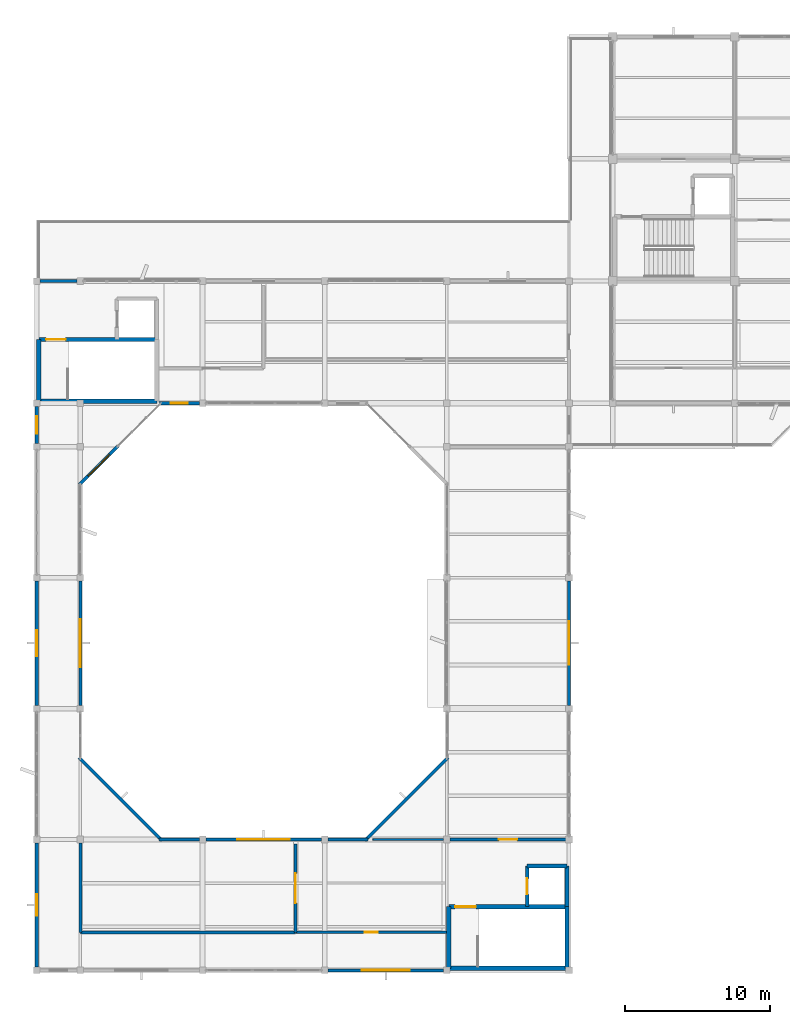
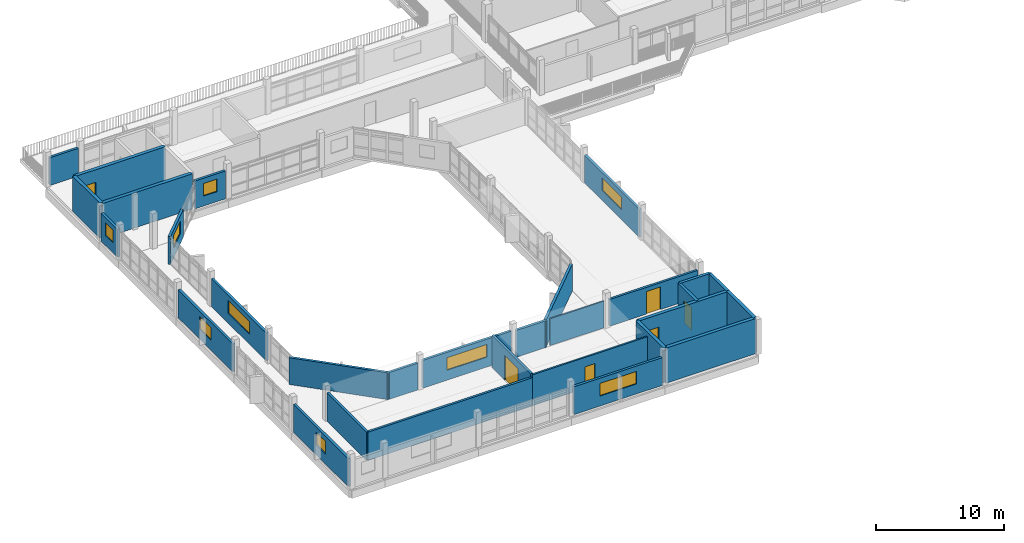
# One storey, part 20 of 33: 30 walls, 9 windows, 6 doors, 15 openings.
"""IFC4 building model written with IfcOpenShell, lengths in metres."""

from ifc_helpers import new_model, si_unit, direction, frame, frame_2d, origin, place, context, subcontext, project, spatial, rectangle, extrude, material, layer, layer_set, type_object, element, fill, save


model = new_model("IFC4")

# Units and contexts
model_context = context("Model", 3, precision=1e-05, world=origin(), true_north=direction((0.0, 1.0)))
body_context = subcontext(model_context, "Body", "Model", "MODEL_VIEW")
ifc_project = project(units=[si_unit("LENGTHUNIT", "METRE"), si_unit("AREAUNIT", "SQUARE_METRE"), si_unit("VOLUMEUNIT", "CUBIC_METRE"), si_unit("PLANEANGLEUNIT", "RADIAN"), si_unit("MASSUNIT", "GRAM", prefix="KILO")], contexts=[model_context])

# Site, building, storey
site_placement = place(None, origin())
site = spatial("IfcSite", under=ifc_project, at=site_placement, CompositionType="ELEMENT")
building_placement = place(site_placement, origin())
building = spatial("IfcBuilding", under=site, at=building_placement, Name="Vanh Quang Courtyard School", CompositionType="ELEMENT")
storey_placement = place(building_placement, frame((0.0, 0.0, 18.60009765625)))
storey = spatial("IfcBuildingStorey", under=building, at=storey_placement, Name="L05", CompositionType="ELEMENT", Elevation=18.60009765625)

# Wall, opening, door
ifc_material_1 = material(Name="Concrete C30/37", Category="concrete")
ifc_layer_1 = layer(ifc_material_1, 0.199951171875)
ifc_layer_set_1 = layer_set([ifc_layer_1], Name="Concrete C30/37")
wall_type_1 = type_object("IfcWallType", Name="W-COMP-200", PredefinedType="PARTITIONING", material=ifc_layer_set_1)
wall_1_placement = place(storey_placement, frame((55.60009765625, 41.080078125, 0.0), z_axis=(0.0, 0.0, 1.0), x_axis=(0.0, -1.0, 0.0)))
wall_1 = element("IfcWall", 1, at=wall_1_placement, inside=storey, type_object=wall_type_1, Name="Wall W-COMP1 (L05)", PredefinedType="PARTITIONING", context=body_context, shape_type="SweptSolid", body=[
    extrude(rectangle(XDim=6.06005859375, YDim=0.199951171875, at=frame_2d((3.030029296875, 0.0))), origin(), (0.0, 0.0, 1.0), 3.0498046875),
])
opening_1_placement = place(wall_1_placement, frame((2.0048828125, 0.0, 0.0)))
opening_1 = element("IfcOpeningElement", 2, at=opening_1_placement, cuts=wall_1, Name="Opening L05-D179", PredefinedType="OPENING", context=body_context, shape_type="SweptSolid", body=[
    extrude(rectangle(XDim=2.050048828125, YDim=2.35009765625, at=frame_2d((1.02490234375, 1.175048828125))), frame((0.0, 0.10986328125, 0.0), z_axis=(0.0, -1.0, 0.0), x_axis=(1.0, 0.0, 0.0)), (0.0, 0.0, 1.0), 0.219970703125),
])
ifc_material_2 = material(Name="Painted galvanised steel fire door", Category="steel")
door_type_1 = type_object("IfcDoorType", Name="IDR-HAL-2050x2350", OperationType="NOTDEFINED", PredefinedType="DOOR", material=ifc_material_2)
door_1_placement = place(opening_1_placement, origin())
door_1 = element("IfcDoor", 3, at=door_1_placement, inside=storey, type_object=door_type_1, Name="Door L05-D179 (L05)", OperationType="DOUBLE_DOOR_SINGLE_SWING", OverallHeight=2.35009765625, OverallWidth=2.050048828125, PredefinedType="DOOR", context=body_context, shape_type="SweptSolid", body=[
    extrude(rectangle(XDim=2.050048828125, YDim=2.35009765625, at=frame_2d((1.02490234375, 1.175048828125))), frame((0.0, 0.02490234375, 0.0), z_axis=(0.0, -1.0, 0.0), x_axis=(1.0, 0.0, 0.0)), (0.0, 0.0, 1.0), 0.050048828125),
])
fill(opening_1, door_1)

# Walls
wall_2_placement = place(storey_placement, frame((55.60009765625, 35.02001953125, 0.0), z_axis=(0.0, 0.0, 1.0), x_axis=(-1.0, 0.0, 0.0)))
element("IfcWall", 4, at=wall_2_placement, inside=storey, type_object=wall_type_1, Name="Wall W-COMP1 (L05)", PredefinedType="PARTITIONING", context=body_context, shape_type="SweptSolid", body=[
    extrude(rectangle(XDim=14.800048828125, YDim=0.199951171875, at=frame_2d((7.39990234375, 0.0))), origin(), (0.0, 0.0, 1.0), 2.699951171875),
])
wall_3_placement = place(storey_placement, frame((40.800048828125, 35.02001953125, 0.0), z_axis=(0.0, 0.0, 1.0), x_axis=(0.0, 1.0, 0.0)))
element("IfcWall", 5, at=wall_3_placement, inside=storey, type_object=wall_type_1, Name="Wall W-COMP1 (L05)", PredefinedType="PARTITIONING", context=body_context, shape_type="SweptSolid", body=[
    extrude(rectangle(XDim=6.156982421875, YDim=0.199951171875, at=frame_2d((3.07861328125, 0.0))), origin(), (0.0, 0.0, 1.0), 2.699951171875),
])

# Wall, opening, door
wall_4_placement = place(storey_placement, frame((74.177001953125, 41.39990234375, 0.0), z_axis=(0.0, 0.0, 1.0), x_axis=(-1.0, 0.0, 0.0)))
wall_4 = element("IfcWall", 6, at=wall_4_placement, inside=storey, type_object=wall_type_1, Name="Wall W-COMP1 (L05)", PredefinedType="PARTITIONING", context=body_context, shape_type="SweptSolid", body=[
    extrude(rectangle(XDim=7.9541015625, YDim=0.199951171875, at=frame_2d((3.97705078125, 0.0))), origin(), (0.0, 0.0, 1.0), 2.5498046875),
])
opening_2_placement = place(wall_4_placement, frame((3.35205078125, 0.0, 0.0)))
opening_2 = element("IfcOpeningElement", 7, at=opening_2_placement, cuts=wall_4, Name="Opening L05-D182", PredefinedType="OPENING", context=body_context, shape_type="SweptSolid", body=[
    extrude(rectangle(XDim=1.25, YDim=2.14990234375, at=frame_2d((0.625, 1.074951171875))), frame((0.0, 0.10986328125, 0.0), z_axis=(0.0, -1.0, 0.0), x_axis=(1.0, 0.0, 0.0)), (0.0, 0.0, 1.0), 0.219970703125),
])
door_type_2 = type_object("IfcDoorType", Name="IDR-LAB-1250x2150", OperationType="NOTDEFINED", PredefinedType="DOOR", material=ifc_material_2)
door_2_placement = place(opening_2_placement, origin())
door_2 = element("IfcDoor", 8, at=door_2_placement, inside=storey, type_object=door_type_2, Name="Door L05-D182 (L05)", OperationType="SINGLE_SWING_LEFT", OverallHeight=2.14990234375, OverallWidth=1.25, PredefinedType="DOOR", context=body_context, shape_type="SweptSolid", body=[
    extrude(rectangle(XDim=1.25, YDim=2.14990234375, at=frame_2d((0.625, 1.074951171875))), frame((0.0, 0.02490234375, 0.0), z_axis=(0.0, -1.0, 0.0), x_axis=(1.0, 0.0, 0.0)), (0.0, 0.0, 1.0), 0.050048828125),
])
fill(opening_2, door_2)

# Wall
ifc_material_3 = material(Name="Concrete C35/45", Category="concrete")
ifc_layer_2 = layer(ifc_material_3, 0.300048828125)
ifc_layer_set_2 = layer_set([ifc_layer_2], Name="Concrete C35/45")
wall_type_2 = type_object("IfcWallType", Name="W-CORE-300", PredefinedType="SHEAR", material=ifc_layer_set_2)
wall_5_placement = place(storey_placement, frame((37.93994140625, 71.5400390625, 0.0), z_axis=(0.0, 0.0, 1.0), x_axis=(1.0, 0.0, 0.0)))
element("IfcWall", 9, at=wall_5_placement, inside=storey, type_object=wall_type_2, Name="Wall W-CORE1 (L05)", PredefinedType="SHEAR", context=body_context, shape_type="SweptSolid", body=[
    extrude(rectangle(XDim=8.1201171875, YDim=0.300048828125, at=frame_2d((4.06005859375, 0.0))), origin(), (0.0, 0.0, 1.0), 3.349853515625),
])

# Wall, opening, door
wall_6_placement = place(storey_placement, frame((46.06005859375, 75.780029296875, 0.0), z_axis=(0.0, 0.0, 1.0), x_axis=(-1.0, 0.0, 0.0)))
wall_6 = element("IfcWall", 10, at=wall_6_placement, inside=storey, type_object=wall_type_2, Name="Wall W-CORE1 (L05)", PredefinedType="SHEAR", context=body_context, shape_type="SweptSolid", body=[
    extrude(rectangle(XDim=8.1201171875, YDim=0.300048828125, at=frame_2d((4.06005859375, 0.0))), origin(), (0.0, 0.0, 1.0), 3.349853515625),
])
opening_3_placement = place(wall_6_placement, frame((6.27001953125, 0.0, 0.0)))
opening_3 = element("IfcOpeningElement", 11, at=opening_3_placement, cuts=wall_6, Name="Opening L05-DS3", PredefinedType="OPENING", context=body_context, shape_type="SweptSolid", body=[
    extrude(rectangle(XDim=1.35009765625, YDim=2.14990234375, at=frame_2d((0.675048828125, 1.074951171875))), frame((0.0, 0.16015625, 0.0), z_axis=(0.0, -1.0, 0.0), x_axis=(1.0, 0.0, 0.0)), (0.0, 0.0, 1.0), 0.320068359375),
])
door_type_3 = type_object("IfcDoorType", Name="IDR-ST-1350x2150", OperationType="NOTDEFINED", PredefinedType="DOOR", material=ifc_material_2)
door_3_placement = place(opening_3_placement, frame((1.35009765625, 0.0, 0.0), z_axis=(0.0, 0.0, 1.0), x_axis=(-1.0, 0.0, 0.0)))
door_3 = element("IfcDoor", 12, at=door_3_placement, inside=storey, type_object=door_type_3, Name="Door L05-DS3 (L05)", OperationType="SINGLE_SWING_LEFT", OverallHeight=2.14990234375, OverallWidth=1.35009765625, PredefinedType="DOOR", context=body_context, shape_type="SweptSolid", body=[
    extrude(rectangle(XDim=1.35009765625, YDim=2.14990234375, at=frame_2d((0.675048828125, 1.074951171875))), frame((0.0, 0.02490234375, 0.0), z_axis=(0.0, -1.0, 0.0), x_axis=(1.0, 0.0, 0.0)), (0.0, 0.0, 1.0), 0.050048828125),
])
fill(opening_3, door_3)

# Walls
wall_7_placement = place(storey_placement, frame((37.93994140625, 75.780029296875, 0.0), z_axis=(0.0, 0.0, 1.0), x_axis=(0.0, -1.0, 0.0)))
element("IfcWall", 13, at=wall_7_placement, inside=storey, type_object=wall_type_2, Name="Wall W-CORE1 (L05)", PredefinedType="SHEAR", context=body_context, shape_type="SweptSolid", body=[
    extrude(rectangle(XDim=4.239990234375, YDim=0.300048828125, at=frame_2d((2.1201171875, 0.0))), origin(), (0.0, 0.0, 1.0), 3.349853515625),
])
wall_8_placement = place(storey_placement, frame((66.139892578125, 32.5400390625, 0.0), z_axis=(0.0, 0.0, 1.0), x_axis=(1.0, 0.0, 0.0)))
element("IfcWall", 14, at=wall_8_placement, inside=storey, type_object=wall_type_2, Name="Wall W-CORE1 (L05)", PredefinedType="SHEAR", context=body_context, shape_type="SweptSolid", body=[
    extrude(rectangle(XDim=8.1201171875, YDim=0.300048828125, at=frame_2d((4.06005859375, 0.0))), origin(), (0.0, 0.0, 1.0), 3.349853515625),
])
wall_9_placement = place(storey_placement, frame((74.260009765625, 32.5400390625, 0.0), z_axis=(0.0, 0.0, 1.0), x_axis=(0.0, 1.0, 0.0)))
element("IfcWall", 15, at=wall_9_placement, inside=storey, type_object=wall_type_2, Name="Wall W-CORE1 (L05)", PredefinedType="SHEAR", context=body_context, shape_type="SweptSolid", body=[
    extrude(rectangle(XDim=4.239990234375, YDim=0.300048828125, at=frame_2d((2.1201171875, 0.0))), origin(), (0.0, 0.0, 1.0), 3.349853515625),
])

# Wall, opening, door
wall_10_placement = place(storey_placement, frame((74.260009765625, 36.780029296875, 0.0), z_axis=(0.0, 0.0, 1.0), x_axis=(-1.0, 0.0, 0.0)))
wall_10 = element("IfcWall", 16, at=wall_10_placement, inside=storey, type_object=wall_type_2, Name="Wall W-CORE1 (L05)", PredefinedType="SHEAR", context=body_context, shape_type="SweptSolid", body=[
    extrude(rectangle(XDim=8.1201171875, YDim=0.300048828125, at=frame_2d((4.06005859375, 0.0))), origin(), (0.0, 0.0, 1.0), 3.349853515625),
])
opening_4_placement = place(wall_10_placement, frame((6.27001953125, 0.0, 0.0)))
opening_4 = element("IfcOpeningElement", 17, at=opening_4_placement, cuts=wall_10, Name="Opening L05-DS4", PredefinedType="OPENING", context=body_context, shape_type="SweptSolid", body=[
    extrude(rectangle(XDim=1.419921875, YDim=2.14990234375, at=frame_2d((0.7099609375, 1.074951171875))), frame((0.0, 0.16015625, 0.0), z_axis=(0.0, -1.0, 0.0), x_axis=(1.0, 0.0, 0.0)), (0.0, 0.0, 1.0), 0.320068359375),
])
door_type_4 = type_object("IfcDoorType", Name="IDR-ST-1420x2150", OperationType="NOTDEFINED", PredefinedType="DOOR", material=ifc_material_2)
door_4_placement = place(opening_4_placement, frame((1.419921875, 0.0, 0.0), z_axis=(0.0, 0.0, 1.0), x_axis=(-1.0, 0.0, 0.0)))
door_4 = element("IfcDoor", 18, at=door_4_placement, inside=storey, type_object=door_type_4, Name="Door L05-DS4 (L05)", OperationType="SINGLE_SWING_LEFT", OverallHeight=2.14990234375, OverallWidth=1.419921875, PredefinedType="DOOR", context=body_context, shape_type="SweptSolid", body=[
    extrude(rectangle(XDim=1.419921875, YDim=2.14990234375, at=frame_2d((0.7099609375, 1.074951171875))), frame((0.0, 0.02490234375, 0.0), z_axis=(0.0, -1.0, 0.0), x_axis=(1.0, 0.0, 0.0)), (0.0, 0.0, 1.0), 0.050048828125),
])
fill(opening_4, door_4)

# Wall
wall_11_placement = place(storey_placement, frame((66.139892578125, 36.780029296875, 0.0), z_axis=(0.0, 0.0, 1.0), x_axis=(0.0, -1.0, 0.0)))
element("IfcWall", 19, at=wall_11_placement, inside=storey, type_object=wall_type_2, Name="Wall W-CORE1 (L05)", PredefinedType="SHEAR", context=body_context, shape_type="SweptSolid", body=[
    extrude(rectangle(XDim=4.239990234375, YDim=0.300048828125, at=frame_2d((2.1201171875, 0.0))), origin(), (0.0, 0.0, 1.0), 3.349853515625),
])

# Wall, opening, window
ifc_layer_3 = layer(ifc_material_1, 0.219970703125)
ifc_layer_set_3 = layer_set([ifc_layer_3], Name="Concrete C30/37")
wall_type_3 = type_object("IfcWallType", Name="W-EXT-220", PredefinedType="SOLIDWALL", material=ifc_layer_set_3)
wall_12_placement = place(storey_placement, frame((65.777099609375, 32.39990234375, 0.0), z_axis=(0.0, 0.0, 1.0), x_axis=(-1.0, 0.0, 0.0)))
wall_12 = element("IfcWall", 20, at=wall_12_placement, inside=storey, type_object=wall_type_3, Name="Wall WE-04 (L05)", PredefinedType="SOLIDWALL", context=body_context, shape_type="SweptSolid", body=[
    extrude(rectangle(XDim=7.9541015625, YDim=0.219970703125, at=frame_2d((3.97705078125, 0.0))), origin(), (0.0, 0.0, 1.0), 2.64990234375),
])
opening_5_placement = place(wall_12_placement, frame((2.326904296875, 0.0, 0.949951171875)))
opening_5 = element("IfcOpeningElement", 21, at=opening_5_placement, cuts=wall_12, Name="Opening WN-08", PredefinedType="OPENING", context=body_context, shape_type="SweptSolid", body=[
    extrude(rectangle(XDim=3.300048828125, YDim=1.199951171875, at=frame_2d((1.64990234375, 0.60009765625))), frame((0.0, 0.1201171875, 0.0), z_axis=(0.0, -1.0, 0.0), x_axis=(1.0, 0.0, 0.0)), (0.0, 0.0, 1.0), 0.239990234375),
])
ifc_material_4 = material(Name="Anodised aluminium and low-E double glazing", Category="aluminium")
window_type_1 = type_object("IfcWindowType", Name="WIN-TYP-08", PartitioningType="SINGLE_PANEL", PredefinedType="WINDOW", material=ifc_material_4)
window_1_placement = place(opening_5_placement, origin())
window_1 = element("IfcWindow", 22, at=window_1_placement, inside=storey, type_object=window_type_1, Name="Window WN-08 (L05)", OverallHeight=1.199951171875, OverallWidth=3.300048828125, PartitioningType="SINGLE_PANEL", PredefinedType="WINDOW", context=body_context, shape_type="SweptSolid", body=[
    extrude(rectangle(XDim=3.300048828125, YDim=1.199951171875, at=frame_2d((1.64990234375, 0.60009765625))), frame((0.0, 0.030029296875, 0.0), z_axis=(0.0, -1.0, 0.0), x_axis=(1.0, 0.0, 0.0)), (0.0, 0.0, 1.0), 0.06005859375),
])
fill(opening_5, window_1)

wall_13_placement = place(storey_placement, frame((37.800048828125, 32.623046875, 0.0), z_axis=(0.0, 0.0, 1.0), x_axis=(0.0, 1.0, 0.0)))
wall_13 = element("IfcWall", 23, at=wall_13_placement, inside=storey, type_object=wall_type_3, Name="Wall WE-04 (L05)", PredefinedType="SOLIDWALL", context=body_context, shape_type="SweptSolid", body=[
    extrude(rectangle(XDim=8.553955078125, YDim=0.219970703125, at=frame_2d((4.27685546875, 0.0))), origin(), (0.0, 0.0, 1.0), 2.64990234375),
])
opening_6_placement = place(wall_13_placement, frame((3.527099609375, 0.0, 0.949951171875)))
opening_6 = element("IfcOpeningElement", 24, at=opening_6_placement, cuts=wall_13, Name="Opening WN-02", PredefinedType="OPENING", context=body_context, shape_type="SweptSolid", body=[
    extrude(rectangle(XDim=1.5, YDim=1.199951171875, at=frame_2d((0.75, 0.60009765625))), frame((0.0, 0.1201171875, 0.0), z_axis=(0.0, -1.0, 0.0), x_axis=(1.0, 0.0, 0.0)), (0.0, 0.0, 1.0), 0.239990234375),
])
window_type_2 = type_object("IfcWindowType", Name="WIN-TYP-02", PartitioningType="SINGLE_PANEL", PredefinedType="WINDOW", material=ifc_material_4)
window_2_placement = place(opening_6_placement, origin())
window_2 = element("IfcWindow", 25, at=window_2_placement, inside=storey, type_object=window_type_2, Name="Window WN-02 (L05)", OverallHeight=1.199951171875, OverallWidth=1.5, PartitioningType="SINGLE_PANEL", PredefinedType="WINDOW", context=body_context, shape_type="SweptSolid", body=[
    extrude(rectangle(XDim=1.5, YDim=1.199951171875, at=frame_2d((0.75, 0.60009765625))), frame((0.0, 0.030029296875, 0.0), z_axis=(0.0, -1.0, 0.0), x_axis=(1.0, 0.0, 0.0)), (0.0, 0.0, 1.0), 0.06005859375),
])
fill(opening_6, window_2)

wall_14_placement = place(storey_placement, frame((37.800048828125, 50.623046875, 0.0), z_axis=(0.0, 0.0, 1.0), x_axis=(0.0, 1.0, 0.0)))
wall_14 = element("IfcWall", 26, at=wall_14_placement, inside=storey, type_object=wall_type_3, Name="Wall WE-04 (L05)", PredefinedType="SOLIDWALL", context=body_context, shape_type="SweptSolid", body=[
    extrude(rectangle(XDim=8.553955078125, YDim=0.219970703125, at=frame_2d((4.27685546875, 0.0))), origin(), (0.0, 0.0, 1.0), 2.64990234375),
])
opening_7_placement = place(wall_14_placement, frame((3.376953125, 0.0, 0.949951171875)))
opening_7 = element("IfcOpeningElement", 27, at=opening_7_placement, cuts=wall_14, Name="Opening WN-03", PredefinedType="OPENING", context=body_context, shape_type="SweptSolid", body=[
    extrude(rectangle(XDim=1.800048828125, YDim=1.199951171875, at=frame_2d((0.89990234375, 0.60009765625))), frame((0.0, 0.1201171875, 0.0), z_axis=(0.0, -1.0, 0.0), x_axis=(1.0, 0.0, 0.0)), (0.0, 0.0, 1.0), 0.239990234375),
])
window_type_3 = type_object("IfcWindowType", Name="WIN-TYP-03", PartitioningType="SINGLE_PANEL", PredefinedType="WINDOW", material=ifc_material_4)
window_3_placement = place(opening_7_placement, origin())
window_3 = element("IfcWindow", 28, at=window_3_placement, inside=storey, type_object=window_type_3, Name="Window WN-03 (L05)", OverallHeight=1.199951171875, OverallWidth=1.800048828125, PartitioningType="SINGLE_PANEL", PredefinedType="WINDOW", context=body_context, shape_type="SweptSolid", body=[
    extrude(rectangle(XDim=1.800048828125, YDim=1.199951171875, at=frame_2d((0.89990234375, 0.60009765625))), frame((0.0, 0.030029296875, 0.0), z_axis=(0.0, -1.0, 0.0), x_axis=(1.0, 0.0, 0.0)), (0.0, 0.0, 1.0), 0.06005859375),
])
fill(opening_7, window_3)

wall_15_placement = place(storey_placement, frame((37.800048828125, 68.623046875, 0.0), z_axis=(0.0, 0.0, 1.0), x_axis=(0.0, 1.0, 0.0)))
wall_15 = element("IfcWall", 29, at=wall_15_placement, inside=storey, type_object=wall_type_3, Name="Wall WE-04 (L05)", PredefinedType="SOLIDWALL", context=body_context, shape_type="SweptSolid", body=[
    extrude(rectangle(XDim=2.553955078125, YDim=0.219970703125, at=frame_2d((1.27685546875, 0.0))), origin(), (0.0, 0.0, 1.0), 2.64990234375),
])
opening_8_placement = place(wall_15_placement, frame((0.677001953125, 0.0, 0.949951171875)))
opening_8 = element("IfcOpeningElement", 30, at=opening_8_placement, cuts=wall_15, Name="Opening WN-01", PredefinedType="OPENING", context=body_context, shape_type="SweptSolid", body=[
    extrude(rectangle(XDim=1.199951171875, YDim=1.199951171875, at=frame_2d((0.60009765625, 0.60009765625))), frame((0.0, 0.1201171875, 0.0), z_axis=(0.0, -1.0, 0.0), x_axis=(1.0, 0.0, 0.0)), (0.0, 0.0, 1.0), 0.239990234375),
])
window_type_4 = type_object("IfcWindowType", Name="WIN-TYP-01", PartitioningType="SINGLE_PANEL", PredefinedType="WINDOW", material=ifc_material_4)
window_4_placement = place(opening_8_placement, origin())
window_4 = element("IfcWindow", 31, at=window_4_placement, inside=storey, type_object=window_type_4, Name="Window WN-01 (L05)", OverallHeight=1.199951171875, OverallWidth=1.199951171875, PartitioningType="SINGLE_PANEL", PredefinedType="WINDOW", context=body_context, shape_type="SweptSolid", body=[
    extrude(rectangle(XDim=1.199951171875, YDim=1.199951171875, at=frame_2d((0.60009765625, 0.60009765625))), frame((0.0, 0.030029296875, 0.0), z_axis=(0.0, -1.0, 0.0), x_axis=(1.0, 0.0, 0.0)), (0.0, 0.0, 1.0), 0.06005859375),
])
fill(opening_8, window_4)

# Wall
wall_16_placement = place(storey_placement, frame((38.02294921875, 79.800048828125, 0.0), z_axis=(0.0, 0.0, 1.0), x_axis=(1.0, 0.0, 0.0)))
element("IfcWall", 32, at=wall_16_placement, inside=storey, type_object=wall_type_3, Name="Wall WE-04 (L05)", PredefinedType="SOLIDWALL", context=body_context, shape_type="SweptSolid", body=[
    extrude(rectangle(XDim=2.553955078125, YDim=0.219970703125, at=frame_2d((1.27685546875, 0.0))), origin(), (0.0, 0.0, 1.0), 2.64990234375),
])

# Wall, opening, window
wall_17_placement = place(storey_placement, frame((74.39990234375, 59.177001953125, 0.0), z_axis=(0.0, 0.0, 1.0), x_axis=(0.0, -1.0, 0.0)))
wall_17 = element("IfcWall", 33, at=wall_17_placement, inside=storey, type_object=wall_type_3, Name="Wall WE-04 (L05)", PredefinedType="SOLIDWALL", context=body_context, shape_type="SweptSolid", body=[
    extrude(rectangle(XDim=8.553955078125, YDim=0.219970703125, at=frame_2d((4.27685546875, 0.0))), origin(), (0.0, 0.0, 1.0), 2.64990234375),
])
opening_9_placement = place(wall_17_placement, frame((2.777099609375, 0.0, 0.949951171875)))
opening_9 = element("IfcOpeningElement", 34, at=opening_9_placement, cuts=wall_17, Name="Opening WN-07", PredefinedType="OPENING", context=body_context, shape_type="SweptSolid", body=[
    extrude(rectangle(XDim=3.0, YDim=1.199951171875, at=frame_2d((1.5, 0.60009765625))), frame((0.0, 0.1201171875, 0.0), z_axis=(0.0, -1.0, 0.0), x_axis=(1.0, 0.0, 0.0)), (0.0, 0.0, 1.0), 0.239990234375),
])
window_type_5 = type_object("IfcWindowType", Name="WIN-TYP-07", PartitioningType="SINGLE_PANEL", PredefinedType="WINDOW", material=ifc_material_4)
window_5_placement = place(opening_9_placement, origin())
window_5 = element("IfcWindow", 35, at=window_5_placement, inside=storey, type_object=window_type_5, Name="Window WN-07 (L05)", OverallHeight=1.199951171875, OverallWidth=3.0, PartitioningType="SINGLE_PANEL", PredefinedType="WINDOW", context=body_context, shape_type="SweptSolid", body=[
    extrude(rectangle(XDim=3.0, YDim=1.199951171875, at=frame_2d((1.5, 0.60009765625))), frame((0.0, 0.030029296875, 0.0), z_axis=(0.0, -1.0, 0.0), x_axis=(1.0, 0.0, 0.0)), (0.0, 0.0, 1.0), 0.06005859375),
])
fill(opening_9, window_5)

wall_18_placement = place(storey_placement, frame((40.800048828125, 59.177001953125, 0.0), z_axis=(0.0, 0.0, 1.0), x_axis=(0.0, -1.0, 0.0)))
wall_18 = element("IfcWall", 36, at=wall_18_placement, inside=storey, type_object=wall_type_3, Name="Wall WE-04 (L05)", PredefinedType="SOLIDWALL", context=body_context, shape_type="SweptSolid", body=[
    extrude(rectangle(XDim=8.553955078125, YDim=0.219970703125, at=frame_2d((4.27685546875, 0.0))), origin(), (0.0, 0.0, 1.0), 2.64990234375),
])
opening_10_placement = place(wall_18_placement, frame((2.626953125, 0.0, 0.949951171875)))
opening_10 = element("IfcOpeningElement", 37, at=opening_10_placement, cuts=wall_18, Name="Opening WN-08", PredefinedType="OPENING", context=body_context, shape_type="SweptSolid", body=[
    extrude(rectangle(XDim=3.300048828125, YDim=1.199951171875, at=frame_2d((1.64990234375, 0.60009765625))), frame((0.0, 0.1201171875, 0.0), z_axis=(0.0, -1.0, 0.0), x_axis=(1.0, 0.0, 0.0)), (0.0, 0.0, 1.0), 0.239990234375),
])
window_6_placement = place(opening_10_placement, origin())
window_6 = element("IfcWindow", 38, at=window_6_placement, inside=storey, type_object=window_type_1, Name="Window WN-08 (L05)", OverallHeight=1.199951171875, OverallWidth=3.300048828125, PartitioningType="SINGLE_PANEL", PredefinedType="WINDOW", context=body_context, shape_type="SweptSolid", body=[
    extrude(rectangle(XDim=3.300048828125, YDim=1.199951171875, at=frame_2d((1.64990234375, 0.60009765625))), frame((0.0, 0.030029296875, 0.0), z_axis=(0.0, -1.0, 0.0), x_axis=(1.0, 0.0, 0.0)), (0.0, 0.0, 1.0), 0.06005859375),
])
fill(opening_10, window_6)

# Walls
wall_19_placement = place(storey_placement, frame((40.715087890625, 47.02880859375, 0.0), z_axis=(0.0, 0.0, 1.0), x_axis=(0.707121887885, -0.707091674165, 0.0)))
element("IfcWall", 39, at=wall_19_placement, inside=storey, type_object=wall_type_3, Name="Wall WE-04 (L05)", PredefinedType="SOLIDWALL", context=body_context, shape_type="SweptSolid", body=[
    extrude(rectangle(XDim=8.08056640625, YDim=0.219970703125, at=frame_2d((4.040283203125, 0.0))), origin(), (0.0, 0.0, 1.0), 2.5498046875),
])
wall_20_placement = place(storey_placement, frame((46.22412109375, 41.39990234375, 0.0), z_axis=(0.0, 0.0, 1.0), x_axis=(1.0, 0.0, 0.0)))
element("IfcWall", 40, at=wall_20_placement, inside=storey, type_object=wall_type_3, Name="Wall WE-04 (L05)", PredefinedType="SOLIDWALL", context=body_context, shape_type="SweptSolid", body=[
    extrude(rectangle(XDim=2.7529296875, YDim=0.219970703125, at=frame_2d((1.37646484375, 0.0))), origin(), (0.0, 0.0, 1.0), 2.5498046875),
])

# Wall, opening, window
wall_21_placement = place(storey_placement, frame((49.423095703125, 41.39990234375, 0.0), z_axis=(0.0, 0.0, 1.0), x_axis=(1.0, 0.0, 0.0)))
wall_21 = element("IfcWall", 41, at=wall_21_placement, inside=storey, type_object=wall_type_3, Name="Wall WE-04 (L05)", PredefinedType="SOLIDWALL", context=body_context, shape_type="SweptSolid", body=[
    extrude(rectangle(XDim=7.953857421875, YDim=0.219970703125, at=frame_2d((3.97705078125, 0.0))), origin(), (0.0, 0.0, 1.0), 2.64990234375),
])
opening_11_placement = place(wall_21_placement, frame((2.177001953125, 0.0, 0.949951171875)))
opening_11 = element("IfcOpeningElement", 42, at=opening_11_placement, cuts=wall_21, Name="Opening WN-09", PredefinedType="OPENING", context=body_context, shape_type="SweptSolid", body=[
    extrude(rectangle(XDim=3.60009765625, YDim=1.199951171875, at=frame_2d((1.800048828125, 0.60009765625))), frame((0.0, 0.1201171875, 0.0), z_axis=(0.0, -1.0, 0.0), x_axis=(1.0, 0.0, 0.0)), (0.0, 0.0, 1.0), 0.239990234375),
])
window_type_6 = type_object("IfcWindowType", Name="WIN-TYP-09", PartitioningType="SINGLE_PANEL", PredefinedType="WINDOW", material=ifc_material_4)
window_7_placement = place(opening_11_placement, origin())
window_7 = element("IfcWindow", 43, at=window_7_placement, inside=storey, type_object=window_type_6, Name="Window WN-09 (L05)", OverallHeight=1.199951171875, OverallWidth=3.60009765625, PartitioningType="SINGLE_PANEL", PredefinedType="WINDOW", context=body_context, shape_type="SweptSolid", body=[
    extrude(rectangle(XDim=3.60009765625, YDim=1.199951171875, at=frame_2d((1.800048828125, 0.60009765625))), frame((0.0, 0.030029296875, 0.0), z_axis=(0.0, -1.0, 0.0), x_axis=(1.0, 0.0, 0.0)), (0.0, 0.0, 1.0), 0.06005859375),
])
fill(opening_11, window_7)

# Walls
wall_22_placement = place(storey_placement, frame((57.822998046875, 41.39990234375, 0.0), z_axis=(0.0, 0.0, 1.0), x_axis=(1.0, 0.0, 0.0)))
element("IfcWall", 44, at=wall_22_placement, inside=storey, type_object=wall_type_3, Name="Wall WE-04 (L05)", PredefinedType="SOLIDWALL", context=body_context, shape_type="SweptSolid", body=[
    extrude(rectangle(XDim=2.7529296875, YDim=0.219970703125, at=frame_2d((1.37646484375, 0.0))), origin(), (0.0, 0.0, 1.0), 2.5498046875),
])
wall_23_placement = place(storey_placement, frame((60.37109375, 41.315185546875, 0.0), z_axis=(0.0, 0.0, 1.0), x_axis=(0.707121887885, 0.707091674165, 0.0)))
element("IfcWall", 45, at=wall_23_placement, inside=storey, type_object=wall_type_3, Name="Wall WE-04 (L05)", PredefinedType="SOLIDWALL", context=body_context, shape_type="SweptSolid", body=[
    extrude(rectangle(XDim=8.08056640625, YDim=0.219970703125, at=frame_2d((4.040283203125, 0.0))), origin(), (0.0, 0.0, 1.0), 2.5498046875),
])

# Wall, opening, window
wall_24_placement = place(storey_placement, frame((48.97705078125, 71.39990234375, 0.0), z_axis=(0.0, 0.0, 1.0), x_axis=(-1.0, 0.0, 0.0)))
wall_24 = element("IfcWall", 46, at=wall_24_placement, inside=storey, type_object=wall_type_3, Name="Wall WE-04 (L05)", PredefinedType="SOLIDWALL", context=body_context, shape_type="SweptSolid", body=[
    extrude(rectangle(XDim=2.7529296875, YDim=0.219970703125, at=frame_2d((1.37646484375, 0.0))), origin(), (0.0, 0.0, 1.0), 2.64990234375),
])
opening_12_placement = place(wall_24_placement, frame((0.776611328125, 0.0, 0.949951171875)))
opening_12 = element("IfcOpeningElement", 47, at=opening_12_placement, cuts=wall_24, Name="Opening WN-01", PredefinedType="OPENING", context=body_context, shape_type="SweptSolid", body=[
    extrude(rectangle(XDim=1.199951171875, YDim=1.199951171875, at=frame_2d((0.60009765625, 0.60009765625))), frame((0.0, 0.1201171875, 0.0), z_axis=(0.0, -1.0, 0.0), x_axis=(1.0, 0.0, 0.0)), (0.0, 0.0, 1.0), 0.239990234375),
])
window_8_placement = place(opening_12_placement, origin())
window_8 = element("IfcWindow", 48, at=window_8_placement, inside=storey, type_object=window_type_4, Name="Window WN-01 (L05)", OverallHeight=1.199951171875, OverallWidth=1.199951171875, PartitioningType="SINGLE_PANEL", PredefinedType="WINDOW", context=body_context, shape_type="SweptSolid", body=[
    extrude(rectangle(XDim=1.199951171875, YDim=1.199951171875, at=frame_2d((0.60009765625, 0.60009765625))), frame((0.0, 0.030029296875, 0.0), z_axis=(0.0, -1.0, 0.0), x_axis=(1.0, 0.0, 0.0)), (0.0, 0.0, 1.0), 0.06005859375),
])
fill(opening_12, window_8)

wall_25_placement = place(storey_placement, frame((43.428955078125, 68.48486328125, 0.0), z_axis=(0.0, 0.0, 1.0), x_axis=(-0.707106781187, -0.707106781187, 0.0)))
wall_25 = element("IfcWall", 49, at=wall_25_placement, inside=storey, type_object=wall_type_3, Name="Wall WE-04 (L05)", PredefinedType="SOLIDWALL", context=body_context, shape_type="SweptSolid", body=[
    extrude(rectangle(XDim=3.837890625, YDim=0.219970703125, at=frame_2d((1.9189453125, 0.0))), origin(), (0.0, 0.0, 1.0), 2.64990234375),
])
opening_13_placement = place(wall_25_placement, frame((0.868896484375, 0.0, 0.949951171875)))
opening_13 = element("IfcOpeningElement", 50, at=opening_13_placement, cuts=wall_25, Name="Opening WN-04", PredefinedType="OPENING", context=body_context, shape_type="SweptSolid", body=[
    extrude(rectangle(XDim=2.10009765625, YDim=1.199951171875, at=frame_2d((1.050048828125, 0.60009765625))), frame((0.0, 0.1201171875, 0.0), z_axis=(0.0, -1.0, 0.0), x_axis=(1.0, 0.0, 0.0)), (0.0, 0.0, 1.0), 0.239990234375),
])
window_type_7 = type_object("IfcWindowType", Name="WIN-TYP-04", PartitioningType="SINGLE_PANEL", PredefinedType="WINDOW", material=ifc_material_4)
window_9_placement = place(opening_13_placement, origin())
window_9 = element("IfcWindow", 51, at=window_9_placement, inside=storey, type_object=window_type_7, Name="Window WN-04 (L05)", OverallHeight=1.199951171875, OverallWidth=2.10009765625, PartitioningType="SINGLE_PANEL", PredefinedType="WINDOW", context=body_context, shape_type="SweptSolid", body=[
    extrude(rectangle(XDim=2.10009765625, YDim=1.199951171875, at=frame_2d((1.050048828125, 0.60009765625))), frame((0.0, 0.030029296875, 0.0), z_axis=(0.0, -1.0, 0.0), x_axis=(1.0, 0.0, 0.0)), (0.0, 0.0, 1.0), 0.06005859375),
])
fill(opening_13, window_9)

# Wall
ifc_material_5 = material(Name="Acoustic gypsum stud partition", Category="gypsum")
ifc_layer_4 = layer(ifc_material_5, 0.1201171875)
ifc_layer_set_4 = layer_set([ifc_layer_4], Name="Acoustic gypsum stud partition")
wall_type_4 = type_object("IfcWallType", Name="W-PART-120", PredefinedType="PARTITIONING", material=ifc_layer_set_4)
wall_26_placement = place(storey_placement, frame((60.908447265625, 41.39990234375, 0.0), z_axis=(0.0, 0.0, 1.0), x_axis=(1.0, 0.0, 0.0)))
element("IfcWall", 52, at=wall_26_placement, inside=storey, type_object=wall_type_4, Name="Wall W-PRT2 (L05)", PredefinedType="PARTITIONING", context=body_context, shape_type="SweptSolid", body=[
    extrude(rectangle(XDim=4.86865234375, YDim=0.1201171875, at=frame_2d((2.434326171875, 0.0))), origin(), (0.0, 0.0, 1.0), 2.5498046875),
])

# Wall, opening, door
ifc_material_6 = material(Name="Autoclaved aerated masonry blockwork", Category="masonry")
ifc_layer_5 = layer(ifc_material_6, 0.14990234375)
ifc_layer_set_5 = layer_set([ifc_layer_5], Name="Autoclaved aerated masonry blockwork")
wall_type_5 = type_object("IfcWallType", Name="W-PART-150", PredefinedType="PARTITIONING", material=ifc_layer_set_5)
wall_27_placement = place(storey_placement, frame((66.0, 35.02001953125, 0.0), z_axis=(0.0, 0.0, 1.0), x_axis=(-1.0, 0.0, 0.0)))
wall_27 = element("IfcWall", 53, at=wall_27_placement, inside=storey, type_object=wall_type_5, Name="Wall W-PRT1 (L05)", PredefinedType="PARTITIONING", context=body_context, shape_type="SweptSolid", body=[
    extrude(rectangle(XDim=10.3798828125, YDim=0.14990234375, at=frame_2d((5.18994140625, 0.0))), origin(), (0.0, 0.0, 1.0), 2.949951171875),
])
opening_14_placement = place(wall_27_placement, frame((4.739990234375, 0.0, 0.0)))
opening_14 = element("IfcOpeningElement", 54, at=opening_14_placement, cuts=wall_27, Name="Opening L05-D180", PredefinedType="OPENING", context=body_context, shape_type="SweptSolid", body=[
    extrude(rectangle(XDim=0.89990234375, YDim=2.050048828125, at=frame_2d((0.449951171875, 1.02490234375))), frame((0.0, 0.0849609375, 0.0), z_axis=(0.0, -1.0, 0.0), x_axis=(1.0, 0.0, 0.0)), (0.0, 0.0, 1.0), 0.169921875),
])
door_type_5 = type_object("IfcDoorType", Name="IDR-RS-0900x2050", OperationType="NOTDEFINED", PredefinedType="DOOR", material=ifc_material_2)
door_5_placement = place(opening_14_placement, origin())
door_5 = element("IfcDoor", 55, at=door_5_placement, inside=storey, type_object=door_type_5, Name="Door L05-D180 (L05)", OperationType="SINGLE_SWING_LEFT", OverallHeight=2.050048828125, OverallWidth=0.89990234375, PredefinedType="DOOR", context=body_context, shape_type="SweptSolid", body=[
    extrude(rectangle(XDim=0.89990234375, YDim=2.050048828125, at=frame_2d((0.449951171875, 1.02490234375))), frame((0.0, 0.02490234375, 0.0), z_axis=(0.0, -1.0, 0.0), x_axis=(1.0, 0.0, 0.0)), (0.0, 0.0, 1.0), 0.050048828125),
])
fill(opening_14, door_5)

ifc_layer_6 = layer(ifc_material_3, 0.25)
ifc_layer_set_6 = layer_set([ifc_layer_6], Name="Concrete C35/45")
wall_type_6 = type_object("IfcWallType", Name="W-SHFT-250", PredefinedType="SHEAR", material=ifc_layer_set_6)
wall_28_placement = place(storey_placement, frame((71.52001953125, 39.580078125, 0.0), z_axis=(0.0, 0.0, 1.0), x_axis=(0.0, -1.0, 0.0)))
wall_28 = element("IfcWall", 56, at=wall_28_placement, inside=storey, type_object=wall_type_6, Name="Wall W-SHFT1 (L05)", PredefinedType="SHEAR", context=body_context, shape_type="SweptSolid", body=[
    extrude(rectangle(XDim=2.800048828125, YDim=0.25, at=frame_2d((1.39990234375, 0.0))), origin(), (0.0, 0.0, 1.0), 3.349853515625),
])
opening_15_placement = place(wall_28_placement, frame((0.85009765625, 0.0, 0.0)))
opening_15 = element("IfcOpeningElement", 57, at=opening_15_placement, cuts=wall_28, Name="Opening LD-04-L05", PredefinedType="OPENING", context=body_context, shape_type="SweptSolid", body=[
    extrude(rectangle(XDim=1.10009765625, YDim=2.14990234375, at=frame_2d((0.550048828125, 1.074951171875))), frame((0.0, 0.135009765625, 0.0), z_axis=(0.0, -1.0, 0.0), x_axis=(1.0, 0.0, 0.0)), (0.0, 0.0, 1.0), 0.27001953125),
])
door_type_6 = type_object("IfcDoorType", Name="IDR-LD-1100x2150", OperationType="NOTDEFINED", PredefinedType="DOOR", material=ifc_material_2)
door_6_placement = place(opening_15_placement, origin())
door_6 = element("IfcDoor", 58, at=door_6_placement, inside=storey, type_object=door_type_6, Name="Door LD-04-L05 (L05)", OperationType="DOUBLE_DOOR_SLIDING", OverallHeight=2.14990234375, OverallWidth=1.10009765625, PredefinedType="DOOR", context=body_context, shape_type="SweptSolid", body=[
    extrude(rectangle(XDim=1.10009765625, YDim=2.14990234375, at=frame_2d((0.550048828125, 1.074951171875))), frame((0.0, 0.02490234375, 0.0), z_axis=(0.0, -1.0, 0.0), x_axis=(1.0, 0.0, 0.0)), (0.0, 0.0, 1.0), 0.050048828125),
])
fill(opening_15, door_6)

# Walls
wall_29_placement = place(storey_placement, frame((74.260009765625, 39.580078125, 0.0), z_axis=(0.0, 0.0, 1.0), x_axis=(-1.0, 0.0, 0.0)))
element("IfcWall", 59, at=wall_29_placement, inside=storey, type_object=wall_type_6, Name="Wall W-SHFT1 (L05)", PredefinedType="SHEAR", context=body_context, shape_type="SweptSolid", body=[
    extrude(rectangle(XDim=2.739990234375, YDim=0.25, at=frame_2d((1.3701171875, 0.0))), origin(), (0.0, 0.0, 1.0), 3.349853515625),
])
wall_30_placement = place(storey_placement, frame((74.260009765625, 36.780029296875, 0.0), z_axis=(0.0, 0.0, 1.0), x_axis=(0.0, 1.0, 0.0)))
element("IfcWall", 60, at=wall_30_placement, inside=storey, type_object=wall_type_6, Name="Wall W-SHFT1 (L05)", PredefinedType="SHEAR", context=body_context, shape_type="SweptSolid", body=[
    extrude(rectangle(XDim=2.800048828125, YDim=0.25, at=frame_2d((1.39990234375, 0.0))), origin(), (0.0, 0.0, 1.0), 3.349853515625),
])

save(model, "model.ifc")
